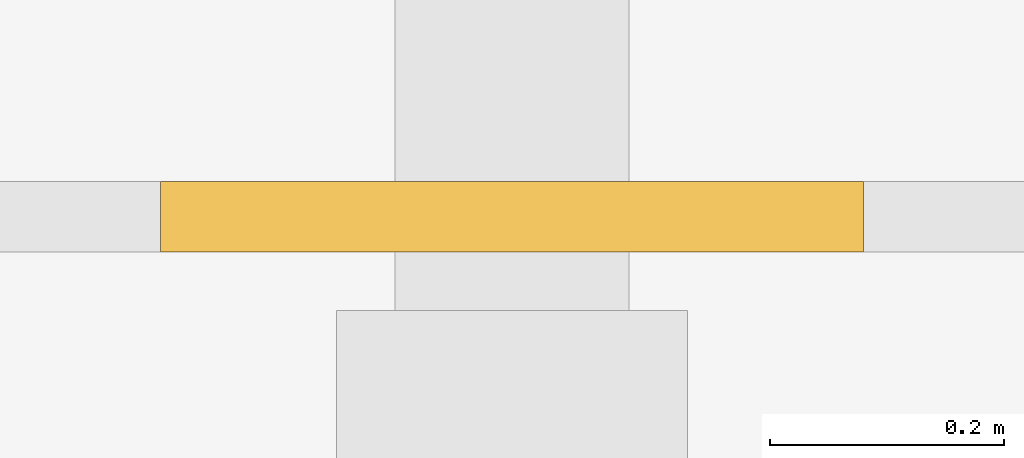
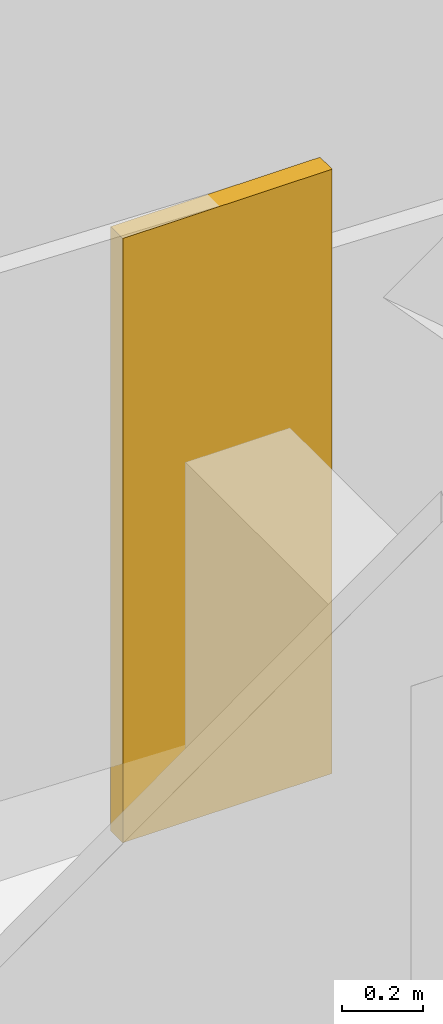
# One storey, part 47 of 60: 1 railing.
"""IFC4 building model written with IfcOpenShell, lengths in metres."""

from ifc_helpers import new_model, si_unit, direction, frame, origin, origin_2d, place, context, subcontext, project, spatial, rectangle, extrude, material, type_object, element, save


model = new_model("IFC4")

# Units and contexts
model_context = context("Model", 3, precision=1e-05, world=origin(), true_north=direction((0.0, 1.0)))
body_context = subcontext(model_context, "Body", "Model", "MODEL_VIEW")
ifc_project = project(units=[si_unit("LENGTHUNIT", "METRE"), si_unit("AREAUNIT", "SQUARE_METRE"), si_unit("VOLUMEUNIT", "CUBIC_METRE"), si_unit("PLANEANGLEUNIT", "RADIAN"), si_unit("MASSUNIT", "GRAM", prefix="KILO")], contexts=[model_context])

# Site, building, storey
site_placement = place(None, origin())
site = spatial("IfcSite", under=ifc_project, at=site_placement, CompositionType="ELEMENT")
building_placement = place(site_placement, origin())
building = spatial("IfcBuilding", under=site, at=building_placement, Name="Saffron Gate Tower", CompositionType="ELEMENT")
storey_placement = place(building_placement, frame((0.0, 0.0, 19.199951171875)))
storey = spatial("IfcBuildingStorey", under=building, at=storey_placement, Name="L03", CompositionType="ELEMENT", Elevation=19.199951171875)

# Railing
ifc_material = material(Name="Timber, thermally modified ash", Category="wood")
railing_type = type_object("IfcRailingType", Name="LG1 ledge balustrade", PredefinedType="BALUSTRADE", material=ifc_material)
railing_placement = place(storey_placement, frame((92.10009765625, 76.800048828125, 2.42626953125)))
element("IfcRailing", 1, at=railing_placement, inside=storey, type_object=railing_type, Name="LEDGE BALUSTRADE", PredefinedType="BALUSTRADE", context=body_context, shape_type="SweptSolid", body=[
    extrude(rectangle(XDim=0.06005859375, YDim=1.8310546875, at=origin_2d()), frame((0.0, 0.0, 0.91552734375), z_axis=(-1.0, 0.0, 0.0), x_axis=(0.0, -1.0, 0.0)), (0.0, 0.0, 1.0), 0.60009765625),
])

save(model, "model.ifc")
